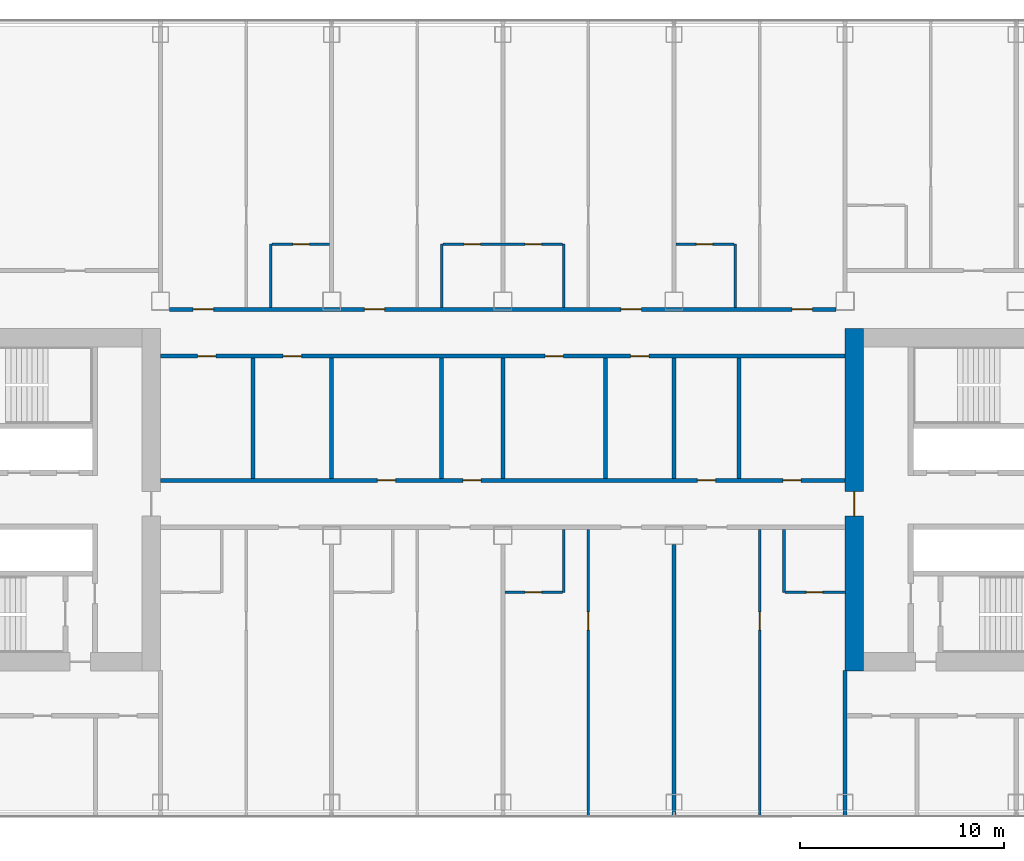
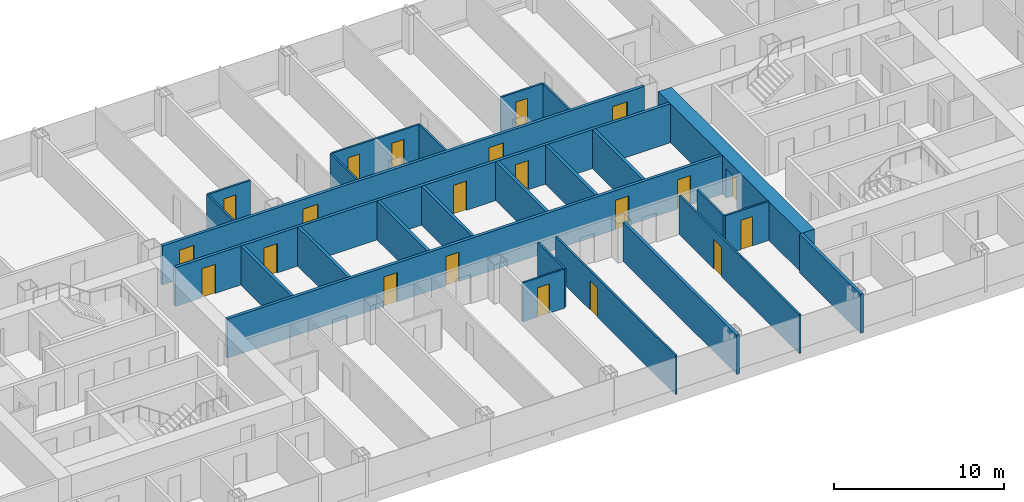
# One storey, part 17 of 29: 26 walls, 21 doors, 21 openings.
"""IFC4 building model written with IfcOpenShell, lengths in metres."""

from ifc_helpers import new_model, si_unit, direction, frame, frame_2d, origin, place, context, subcontext, project, spatial, rectangle, extrude, material, layer, layer_set, type_object, element, fill, save


model = new_model("IFC4")

# Units and contexts
model_context = context("Model", 3, precision=1e-05, world=origin(), true_north=direction((0.0, 1.0)))
body_context = subcontext(model_context, "Body", "Model", "MODEL_VIEW")
ifc_project = project(units=[si_unit("LENGTHUNIT", "METRE"), si_unit("AREAUNIT", "SQUARE_METRE"), si_unit("VOLUMEUNIT", "CUBIC_METRE"), si_unit("PLANEANGLEUNIT", "RADIAN"), si_unit("MASSUNIT", "GRAM", prefix="KILO")], contexts=[model_context])

# Site, building, storey
site_placement = place(None, origin())
site = spatial("IfcSite", under=ifc_project, at=site_placement, CompositionType="ELEMENT")
building_placement = place(site_placement, origin())
building = spatial("IfcBuilding", under=site, at=building_placement, Name="Hakoniwa Tower and Hamabe Station Hall", CompositionType="ELEMENT")
storey_placement = place(building_placement, frame((0.0, 0.0, 88.199951171875)))
storey = spatial("IfcBuildingStorey", under=building, at=storey_placement, Name="L24", CompositionType="ELEMENT", Elevation=88.199951171875)

# Wall, opening, door
ifc_material_1 = material(Name="Gypsum board partition", Category="gypsum")
ifc_layer_1 = layer(ifc_material_1, 0.125)
ifc_layer_set_1 = layer_set([ifc_layer_1], Name="Bathroom Partition 125")
wall_type_1 = type_object("IfcWallType", Name="Bathroom Partition 125", PredefinedType="PARTITIONING", material=ifc_layer_set_1)
wall_1_placement = place(storey_placement, frame((0.10009765625, -4.550048828125, 0.0), z_axis=(0.0, 0.0, 1.0), x_axis=(1.0, 0.0, 0.0)))
wall_1 = element("IfcWall", 1, at=wall_1_placement, inside=storey, type_object=wall_type_1, Name="GW-L24-009", PredefinedType="PARTITIONING", context=body_context, shape_type="SweptSolid", body=[
    extrude(rectangle(XDim=2.83740234375, YDim=0.125, at=frame_2d((1.418701171875, 0.0))), origin(), (0.0, 0.0, 1.0), 2.800048828125),
])
opening_1_placement = place(wall_1_placement, frame((1.0, 0.0, 0.0)))
opening_1 = element("IfcOpeningElement", 2, at=opening_1_placement, cuts=wall_1, Name="Opening GD-G2E0-21", PredefinedType="OPENING", context=body_context, shape_type="SweptSolid", body=[
    extrude(rectangle(XDim=0.800048828125, YDim=2.10009765625, at=frame_2d((0.39990234375, 1.050048828125))), frame((0.0, 0.072509765625, 0.0), z_axis=(0.0, -1.0, 0.0), x_axis=(1.0, 0.0, 0.0)), (0.0, 0.0, 1.0), 0.14501953125),
])
ifc_material_2 = material(Name="Timber door leaf", Category="wood")
door_type_1 = type_object("IfcDoorType", Name="Bathroom Door 800", OperationType="SINGLE_SWING_LEFT", PredefinedType="DOOR", material=ifc_material_2)
door_1_placement = place(opening_1_placement, origin())
door_1 = element("IfcDoor", 3, at=door_1_placement, inside=storey, type_object=door_type_1, Name="Door GD-G2E0-21", OperationType="SINGLE_SWING_RIGHT", OverallHeight=2.10009765625, OverallWidth=0.800048828125, PredefinedType="DOOR", context=body_context, shape_type="SweptSolid", body=[
    extrude(rectangle(XDim=0.800048828125, YDim=2.10009765625, at=frame_2d((0.39990234375, 1.050048828125))), frame((0.0, 0.02490234375, 0.0), z_axis=(0.0, -1.0, 0.0), x_axis=(1.0, 0.0, 0.0)), (0.0, 0.0, 1.0), 0.050048828125),
])
fill(opening_1, door_1)

wall_2_placement = place(storey_placement, frame((13.862548828125, -4.550048828125, 0.0), z_axis=(0.0, 0.0, 1.0), x_axis=(1.0, 0.0, 0.0)))
wall_2 = element("IfcWall", 4, at=wall_2_placement, inside=storey, type_object=wall_type_1, Name="GW-L24-010", PredefinedType="PARTITIONING", context=body_context, shape_type="SweptSolid", body=[
    extrude(rectangle(XDim=2.947509765625, YDim=0.125, at=frame_2d((1.4736328125, 0.0))), origin(), (0.0, 0.0, 1.0), 2.800048828125),
])
opening_2_placement = place(wall_2_placement, frame((1.03759765625, 0.0, 0.0)))
opening_2 = element("IfcOpeningElement", 5, at=opening_2_placement, cuts=wall_2, Name="Opening GD-G2E0-22", PredefinedType="OPENING", context=body_context, shape_type="SweptSolid", body=[
    extrude(rectangle(XDim=0.800048828125, YDim=2.10009765625, at=frame_2d((0.39990234375, 1.050048828125))), frame((0.0, 0.072509765625, 0.0), z_axis=(0.0, -1.0, 0.0), x_axis=(1.0, 0.0, 0.0)), (0.0, 0.0, 1.0), 0.14501953125),
])
door_2_placement = place(opening_2_placement, origin())
door_2 = element("IfcDoor", 6, at=door_2_placement, inside=storey, type_object=door_type_1, Name="Door GD-G2E0-22", OperationType="SINGLE_SWING_RIGHT", OverallHeight=2.10009765625, OverallWidth=0.800048828125, PredefinedType="DOOR", context=body_context, shape_type="SweptSolid", body=[
    extrude(rectangle(XDim=0.800048828125, YDim=2.10009765625, at=frame_2d((0.39990234375, 1.050048828125))), frame((0.0, 0.02490234375, 0.0), z_axis=(0.0, -1.0, 0.0), x_axis=(1.0, 0.0, 0.0)), (0.0, 0.0, 1.0), 0.050048828125),
])
fill(opening_2, door_2)

wall_3_placement = place(storey_placement, frame((-11.33740234375, 12.550048828125, 0.0), z_axis=(0.0, 0.0, 1.0), x_axis=(1.0, 0.0, 0.0)))
wall_3 = element("IfcWall", 7, at=wall_3_placement, inside=storey, type_object=wall_type_1, Name="GW-L24-023", PredefinedType="PARTITIONING", context=body_context, shape_type="SweptSolid", body=[
    extrude(rectangle(XDim=2.83740234375, YDim=0.125, at=frame_2d((1.418701171875, 0.0))), origin(), (0.0, 0.0, 1.0), 2.800048828125),
])
opening_3_placement = place(wall_3_placement, frame((1.03759765625, 0.0, 0.0)))
opening_3 = element("IfcOpeningElement", 8, at=opening_3_placement, cuts=wall_3, Name="Opening GD-G2E0-51", PredefinedType="OPENING", context=body_context, shape_type="SweptSolid", body=[
    extrude(rectangle(XDim=0.800048828125, YDim=2.10009765625, at=frame_2d((0.39990234375, 1.050048828125))), frame((0.0, 0.072509765625, 0.0), z_axis=(0.0, -1.0, 0.0), x_axis=(1.0, 0.0, 0.0)), (0.0, 0.0, 1.0), 0.14501953125),
])
door_3_placement = place(opening_3_placement, origin())
door_3 = element("IfcDoor", 9, at=door_3_placement, inside=storey, type_object=door_type_1, Name="Door GD-G2E0-51", OperationType="SINGLE_SWING_RIGHT", OverallHeight=2.10009765625, OverallWidth=0.800048828125, PredefinedType="DOOR", context=body_context, shape_type="SweptSolid", body=[
    extrude(rectangle(XDim=0.800048828125, YDim=2.10009765625, at=frame_2d((0.39990234375, 1.050048828125))), frame((0.0, 0.02490234375, 0.0), z_axis=(0.0, -1.0, 0.0), x_axis=(1.0, 0.0, 0.0)), (0.0, 0.0, 1.0), 0.050048828125),
])
fill(opening_3, door_3)

# Wall, openings, doors
wall_4_placement = place(storey_placement, frame((-2.9375, 12.550048828125, 0.0), z_axis=(0.0, 0.0, 1.0), x_axis=(1.0, 0.0, 0.0)))
wall_4 = element("IfcWall", 10, at=wall_4_placement, inside=storey, type_object=wall_type_1, Name="GW-L24-024", PredefinedType="PARTITIONING", context=body_context, shape_type="SweptSolid", body=[
    extrude(rectangle(XDim=5.875, YDim=0.125, at=frame_2d((2.9375, 0.0))), origin(), (0.0, 0.0, 1.0), 2.800048828125),
])
opening_4_placement = place(wall_4_placement, frame((1.03759765625, 0.0, 0.0)))
opening_4 = element("IfcOpeningElement", 11, at=opening_4_placement, cuts=wall_4, Name="Opening GD-G2E0-52", PredefinedType="OPENING", context=body_context, shape_type="SweptSolid", body=[
    extrude(rectangle(XDim=0.800048828125, YDim=2.10009765625, at=frame_2d((0.39990234375, 1.050048828125))), frame((0.0, 0.072509765625, 0.0), z_axis=(0.0, -1.0, 0.0), x_axis=(1.0, 0.0, 0.0)), (0.0, 0.0, 1.0), 0.14501953125),
])
opening_5_placement = place(wall_4_placement, frame((4.03759765625, 0.0, 0.0)))
opening_5 = element("IfcOpeningElement", 12, at=opening_5_placement, cuts=wall_4, Name="Opening GD-G2E0-53", PredefinedType="OPENING", context=body_context, shape_type="SweptSolid", body=[
    extrude(rectangle(XDim=0.800048828125, YDim=2.10009765625, at=frame_2d((0.39990234375, 1.050048828125))), frame((0.0, 0.072509765625, 0.0), z_axis=(0.0, -1.0, 0.0), x_axis=(1.0, 0.0, 0.0)), (0.0, 0.0, 1.0), 0.14501953125),
])
door_4_placement = place(opening_4_placement, origin())
door_4 = element("IfcDoor", 13, at=door_4_placement, inside=storey, type_object=door_type_1, Name="Door GD-G2E0-52", OperationType="SINGLE_SWING_LEFT", OverallHeight=2.10009765625, OverallWidth=0.800048828125, PredefinedType="DOOR", context=body_context, shape_type="SweptSolid", body=[
    extrude(rectangle(XDim=0.800048828125, YDim=2.10009765625, at=frame_2d((0.39990234375, 1.050048828125))), frame((0.0, 0.02490234375, 0.0), z_axis=(0.0, -1.0, 0.0), x_axis=(1.0, 0.0, 0.0)), (0.0, 0.0, 1.0), 0.050048828125),
])
fill(opening_4, door_4)
door_5_placement = place(opening_5_placement, origin())
door_5 = element("IfcDoor", 14, at=door_5_placement, inside=storey, type_object=door_type_1, Name="Door GD-G2E0-53", OperationType="SINGLE_SWING_RIGHT", OverallHeight=2.10009765625, OverallWidth=0.800048828125, PredefinedType="DOOR", context=body_context, shape_type="SweptSolid", body=[
    extrude(rectangle(XDim=0.800048828125, YDim=2.10009765625, at=frame_2d((0.39990234375, 1.050048828125))), frame((0.0, 0.02490234375, 0.0), z_axis=(0.0, -1.0, 0.0), x_axis=(1.0, 0.0, 0.0)), (0.0, 0.0, 1.0), 0.050048828125),
])
fill(opening_5, door_5)

# Wall, opening, door
wall_5_placement = place(storey_placement, frame((8.5, 12.550048828125, 0.0), z_axis=(0.0, 0.0, 1.0), x_axis=(1.0, 0.0, 0.0)))
wall_5 = element("IfcWall", 15, at=wall_5_placement, inside=storey, type_object=wall_type_1, Name="GW-L24-025", PredefinedType="PARTITIONING", context=body_context, shape_type="SweptSolid", body=[
    extrude(rectangle(XDim=2.83740234375, YDim=0.125, at=frame_2d((1.418701171875, 0.0))), origin(), (0.0, 0.0, 1.0), 2.800048828125),
])
opening_6_placement = place(wall_5_placement, frame((1.0, 0.0, 0.0)))
opening_6 = element("IfcOpeningElement", 16, at=opening_6_placement, cuts=wall_5, Name="Opening GD-G2E0-54", PredefinedType="OPENING", context=body_context, shape_type="SweptSolid", body=[
    extrude(rectangle(XDim=0.800048828125, YDim=2.10009765625, at=frame_2d((0.39990234375, 1.050048828125))), frame((0.0, 0.072509765625, 0.0), z_axis=(0.0, -1.0, 0.0), x_axis=(1.0, 0.0, 0.0)), (0.0, 0.0, 1.0), 0.14501953125),
])
door_6_placement = place(opening_6_placement, origin())
door_6 = element("IfcDoor", 17, at=door_6_placement, inside=storey, type_object=door_type_1, Name="Door GD-G2E0-54", OperationType="SINGLE_SWING_LEFT", OverallHeight=2.10009765625, OverallWidth=0.800048828125, PredefinedType="DOOR", context=body_context, shape_type="SweptSolid", body=[
    extrude(rectangle(XDim=0.800048828125, YDim=2.10009765625, at=frame_2d((0.39990234375, 1.050048828125))), frame((0.0, 0.02490234375, 0.0), z_axis=(0.0, -1.0, 0.0), x_axis=(1.0, 0.0, 0.0)), (0.0, 0.0, 1.0), 0.050048828125),
])
fill(opening_6, door_6)

# Walls
for number, where, z_axis, x_axis, name in (
    (18, (-11.39990234375, 9.449951171875, 0.0), (0.0, 0.0, 1.0), (0.0, 1.0, 0.0), "GW-L24-047"),
    (19, (-3.0, 9.449951171875, 0.0), (0.0, 0.0, 1.0), (0.0, 1.0, 0.0), "GW-L24-055"),
    (20, (3.0, -4.550048828125, 0.0), (0.0, 0.0, 1.0), (0.0, 1.0, 0.0), "GW-L24-059"),
    (21, (3.0, 9.449951171875, 0.0), (0.0, 0.0, 1.0), (0.0, 1.0, 0.0), "GW-L24-060"),
    (22, (11.39990234375, 9.449951171875, 0.0), (0.0, 0.0, 1.0), (0.0, 1.0, 0.0), "GW-L24-067"),
    (23, (13.800048828125, -4.550048828125, 0.0), (0.0, 0.0, 1.0), (0.0, 1.0, 0.0), "GW-L24-071"),
):
    element("IfcWall", number, at=place(storey_placement, frame(where, z_axis=z_axis, x_axis=x_axis)), inside=storey, type_object=wall_type_1, Name=name, PredefinedType="PARTITIONING", context=body_context, shape_type="SweptSolid", body=[
        extrude(rectangle(XDim=3.10009765625, YDim=0.125, at=frame_2d((1.550048828125, 0.0))), origin(), (0.0, 0.0, 1.0), 2.800048828125),
    ])

# Wall, opening, door
ifc_material_3 = material(Name="Concrete C72", Category="concrete")
ifc_layer_2 = layer(ifc_material_3, 0.89990234375)
ifc_layer_set_2 = layer_set([ifc_layer_2], Name="CORE WALL 900 C72")
wall_type_2 = type_object("IfcWallType", Name="CORE WALL 900 C72", PredefinedType="SHEAR", material=ifc_layer_set_2)
wall_6_placement = place(storey_placement, frame((17.25, -8.39990234375, 0.0), z_axis=(0.0, 0.0, 1.0), x_axis=(0.0, 1.0, 0.0)))
wall_6 = element("IfcWall", 24, at=wall_6_placement, inside=storey, type_object=wall_type_2, Name="Core wall INNER east", PredefinedType="SHEAR", context=body_context, shape_type="SweptSolid", body=[
    extrude(rectangle(XDim=16.7998046875, YDim=0.89990234375, at=frame_2d((8.39990234375, 0.0))), origin(), (0.0, 0.0, 1.0), 2.800048828125),
])
opening_7_placement = place(wall_6_placement, frame((7.60009765625, 0.0, 0.0)))
opening_7 = element("IfcOpeningElement", 25, at=opening_7_placement, cuts=wall_6, Name="Opening CD-E-IN1-12", PredefinedType="OPENING", context=body_context, shape_type="SweptSolid", body=[
    extrude(rectangle(XDim=1.199951171875, YDim=2.10009765625, at=frame_2d((0.60009765625, 1.050048828125))), frame((0.0, 0.4599609375, 0.0), z_axis=(0.0, -1.0, 0.0), x_axis=(1.0, 0.0, 0.0)), (0.0, 0.0, 1.0), 0.919921875),
])
ifc_material_4 = material(Name="Steel fire door", Category="steel")
door_type_2 = type_object("IfcDoorType", Name="CORE DOOR 1200 FD60", OperationType="DOUBLE_DOOR_SINGLE_SWING", PredefinedType="DOOR", material=ifc_material_4)
door_7_placement = place(opening_7_placement, origin())
door_7 = element("IfcDoor", 26, at=door_7_placement, inside=storey, type_object=door_type_2, Name="Lift lobby door", OperationType="DOUBLE_DOOR_SINGLE_SWING", OverallHeight=2.10009765625, OverallWidth=1.199951171875, PredefinedType="DOOR", context=body_context, shape_type="SweptSolid", body=[
    extrude(rectangle(XDim=1.199951171875, YDim=2.10009765625, at=frame_2d((0.60009765625, 1.050048828125))), frame((0.0, 0.02490234375, 0.0), z_axis=(0.0, -1.0, 0.0), x_axis=(1.0, 0.0, 0.0)), (0.0, 0.0, 1.0), 0.050048828125),
])
fill(opening_7, door_7)

# Wall, openings, doors
ifc_material_5 = material(Name="Fire-rated gypsum board partition", Category="gypsum")
ifc_layer_3 = layer(ifc_material_5, 0.199951171875)
ifc_layer_set_3 = layer_set([ifc_layer_3], Name="Corridor Wall 200")
wall_type_3 = type_object("IfcWallType", Name="Corridor Wall 200", PredefinedType="PARTITIONING", material=ifc_layer_set_3)
wall_7_placement = place(storey_placement, frame((-16.800048828125, 0.949951171875, 0.0), z_axis=(0.0, 0.0, 1.0), x_axis=(1.0, 0.0, 0.0)))
wall_7 = element("IfcWall", 27, at=wall_7_placement, inside=storey, type_object=wall_type_3, Name="GW-L24-014", PredefinedType="PARTITIONING", context=body_context, shape_type="SweptSolid", body=[
    extrude(rectangle(XDim=33.60009765625, YDim=0.199951171875, at=frame_2d((16.800048828125, 0.0))), origin(), (0.0, 0.0, 1.0), 2.800048828125),
])
opening_8_placement = place(wall_7_placement, frame((10.639892578125, 0.0, 0.0)))
opening_8 = element("IfcOpeningElement", 28, at=opening_8_placement, cuts=wall_7, Name="Opening GD-G2E0-27", PredefinedType="OPENING", context=body_context, shape_type="SweptSolid", body=[
    extrude(rectangle(XDim=0.89990234375, YDim=2.10009765625, at=frame_2d((0.449951171875, 1.050048828125))), frame((0.0, 0.10986328125, 0.0), z_axis=(0.0, -1.0, 0.0), x_axis=(1.0, 0.0, 0.0)), (0.0, 0.0, 1.0), 0.219970703125),
])
opening_9_placement = place(wall_7_placement, frame((14.840087890625, 0.0, 0.0)))
opening_9 = element("IfcOpeningElement", 29, at=opening_9_placement, cuts=wall_7, Name="Opening GD-G2E0-28", PredefinedType="OPENING", context=body_context, shape_type="SweptSolid", body=[
    extrude(rectangle(XDim=0.89990234375, YDim=2.10009765625, at=frame_2d((0.449951171875, 1.050048828125))), frame((0.0, 0.10986328125, 0.0), z_axis=(0.0, -1.0, 0.0), x_axis=(1.0, 0.0, 0.0)), (0.0, 0.0, 1.0), 0.219970703125),
])
opening_10_placement = place(wall_7_placement, frame((26.344970703125, 0.0, 0.0)))
opening_10 = element("IfcOpeningElement", 30, at=opening_10_placement, cuts=wall_7, Name="Opening GD-G2E0-29", PredefinedType="OPENING", context=body_context, shape_type="SweptSolid", body=[
    extrude(rectangle(XDim=0.89990234375, YDim=2.10009765625, at=frame_2d((0.449951171875, 1.050048828125))), frame((0.0, 0.10986328125, 0.0), z_axis=(0.0, -1.0, 0.0), x_axis=(1.0, 0.0, 0.0)), (0.0, 0.0, 1.0), 0.219970703125),
])
opening_11_placement = place(wall_7_placement, frame((30.544921875, 0.0, 0.0)))
opening_11 = element("IfcOpeningElement", 31, at=opening_11_placement, cuts=wall_7, Name="Opening GD-G2E0-30", PredefinedType="OPENING", context=body_context, shape_type="SweptSolid", body=[
    extrude(rectangle(XDim=0.89990234375, YDim=2.10009765625, at=frame_2d((0.449951171875, 1.050048828125))), frame((0.0, 0.10986328125, 0.0), z_axis=(0.0, -1.0, 0.0), x_axis=(1.0, 0.0, 0.0)), (0.0, 0.0, 1.0), 0.219970703125),
])
ifc_material_6 = material(Name="Timber door leaf", Category="wood")
door_type_3 = type_object("IfcDoorType", Name="Service Door 900", OperationType="SINGLE_SWING_LEFT", PredefinedType="DOOR", material=ifc_material_6)
door_8_placement = place(opening_8_placement, origin())
door_8 = element("IfcDoor", 32, at=door_8_placement, inside=storey, type_object=door_type_3, Name="Door GD-G2E0-27", OperationType="SINGLE_SWING_RIGHT", OverallHeight=2.10009765625, OverallWidth=0.89990234375, PredefinedType="DOOR", context=body_context, shape_type="SweptSolid", body=[
    extrude(rectangle(XDim=0.89990234375, YDim=2.10009765625, at=frame_2d((0.449951171875, 1.050048828125))), frame((0.0, 0.02490234375, 0.0), z_axis=(0.0, -1.0, 0.0), x_axis=(1.0, 0.0, 0.0)), (0.0, 0.0, 1.0), 0.050048828125),
])
fill(opening_8, door_8)
door_9_placement = place(opening_9_placement, origin())
door_9 = element("IfcDoor", 33, at=door_9_placement, inside=storey, type_object=door_type_3, Name="Door GD-G2E0-28", OperationType="SINGLE_SWING_LEFT", OverallHeight=2.10009765625, OverallWidth=0.89990234375, PredefinedType="DOOR", context=body_context, shape_type="SweptSolid", body=[
    extrude(rectangle(XDim=0.89990234375, YDim=2.10009765625, at=frame_2d((0.449951171875, 1.050048828125))), frame((0.0, 0.02490234375, 0.0), z_axis=(0.0, -1.0, 0.0), x_axis=(1.0, 0.0, 0.0)), (0.0, 0.0, 1.0), 0.050048828125),
])
fill(opening_9, door_9)
door_10_placement = place(opening_10_placement, origin())
door_10 = element("IfcDoor", 34, at=door_10_placement, inside=storey, type_object=door_type_3, Name="Door GD-G2E0-29", OperationType="SINGLE_SWING_RIGHT", OverallHeight=2.10009765625, OverallWidth=0.89990234375, PredefinedType="DOOR", context=body_context, shape_type="SweptSolid", body=[
    extrude(rectangle(XDim=0.89990234375, YDim=2.10009765625, at=frame_2d((0.449951171875, 1.050048828125))), frame((0.0, 0.02490234375, 0.0), z_axis=(0.0, -1.0, 0.0), x_axis=(1.0, 0.0, 0.0)), (0.0, 0.0, 1.0), 0.050048828125),
])
fill(opening_10, door_10)
door_11_placement = place(opening_11_placement, origin())
door_11 = element("IfcDoor", 35, at=door_11_placement, inside=storey, type_object=door_type_3, Name="Door GD-G2E0-30", OperationType="SINGLE_SWING_RIGHT", OverallHeight=2.10009765625, OverallWidth=0.89990234375, PredefinedType="DOOR", context=body_context, shape_type="SweptSolid", body=[
    extrude(rectangle(XDim=0.89990234375, YDim=2.10009765625, at=frame_2d((0.449951171875, 1.050048828125))), frame((0.0, 0.02490234375, 0.0), z_axis=(0.0, -1.0, 0.0), x_axis=(1.0, 0.0, 0.0)), (0.0, 0.0, 1.0), 0.050048828125),
])
fill(opening_11, door_11)

wall_8_placement = place(storey_placement, frame((-16.800048828125, 7.050048828125, 0.0), z_axis=(0.0, 0.0, 1.0), x_axis=(1.0, 0.0, 0.0)))
wall_8 = element("IfcWall", 36, at=wall_8_placement, inside=storey, type_object=wall_type_3, Name="GW-L24-017", PredefinedType="PARTITIONING", context=body_context, shape_type="SweptSolid", body=[
    extrude(rectangle(XDim=33.60009765625, YDim=0.199951171875, at=frame_2d((16.800048828125, 0.0))), origin(), (0.0, 0.0, 1.0), 2.800048828125),
])
opening_12_placement = place(wall_8_placement, frame((1.820068359375, 0.0, 0.0)))
opening_12 = element("IfcOpeningElement", 37, at=opening_12_placement, cuts=wall_8, Name="Opening GD-G2E0-33", PredefinedType="OPENING", context=body_context, shape_type="SweptSolid", body=[
    extrude(rectangle(XDim=0.89990234375, YDim=2.10009765625, at=frame_2d((0.449951171875, 1.050048828125))), frame((0.0, 0.10986328125, 0.0), z_axis=(0.0, -1.0, 0.0), x_axis=(1.0, 0.0, 0.0)), (0.0, 0.0, 1.0), 0.219970703125),
])
opening_13_placement = place(wall_8_placement, frame((6.02001953125, 0.0, 0.0)))
opening_13 = element("IfcOpeningElement", 38, at=opening_13_placement, cuts=wall_8, Name="Opening GD-G2E0-34", PredefinedType="OPENING", context=body_context, shape_type="SweptSolid", body=[
    extrude(rectangle(XDim=0.89990234375, YDim=2.10009765625, at=frame_2d((0.449951171875, 1.050048828125))), frame((0.0, 0.10986328125, 0.0), z_axis=(0.0, -1.0, 0.0), x_axis=(1.0, 0.0, 0.0)), (0.0, 0.0, 1.0), 0.219970703125),
])
opening_14_placement = place(wall_8_placement, frame((18.8701171875, 0.0, 0.0)))
opening_14 = element("IfcOpeningElement", 39, at=opening_14_placement, cuts=wall_8, Name="Opening GD-G2E0-35", PredefinedType="OPENING", context=body_context, shape_type="SweptSolid", body=[
    extrude(rectangle(XDim=0.89990234375, YDim=2.10009765625, at=frame_2d((0.449951171875, 1.050048828125))), frame((0.0, 0.10986328125, 0.0), z_axis=(0.0, -1.0, 0.0), x_axis=(1.0, 0.0, 0.0)), (0.0, 0.0, 1.0), 0.219970703125),
])
opening_15_placement = place(wall_8_placement, frame((23.070068359375, 0.0, 0.0)))
opening_15 = element("IfcOpeningElement", 40, at=opening_15_placement, cuts=wall_8, Name="Opening GD-G2E0-36", PredefinedType="OPENING", context=body_context, shape_type="SweptSolid", body=[
    extrude(rectangle(XDim=0.89990234375, YDim=2.10009765625, at=frame_2d((0.449951171875, 1.050048828125))), frame((0.0, 0.10986328125, 0.0), z_axis=(0.0, -1.0, 0.0), x_axis=(1.0, 0.0, 0.0)), (0.0, 0.0, 1.0), 0.219970703125),
])
door_12_placement = place(opening_12_placement, origin())
door_12 = element("IfcDoor", 41, at=door_12_placement, inside=storey, type_object=door_type_3, Name="Door GD-G2E0-33", OperationType="SINGLE_SWING_RIGHT", OverallHeight=2.10009765625, OverallWidth=0.89990234375, PredefinedType="DOOR", context=body_context, shape_type="SweptSolid", body=[
    extrude(rectangle(XDim=0.89990234375, YDim=2.10009765625, at=frame_2d((0.449951171875, 1.050048828125))), frame((0.0, 0.02490234375, 0.0), z_axis=(0.0, -1.0, 0.0), x_axis=(1.0, 0.0, 0.0)), (0.0, 0.0, 1.0), 0.050048828125),
])
fill(opening_12, door_12)
door_13_placement = place(opening_13_placement, origin())
door_13 = element("IfcDoor", 42, at=door_13_placement, inside=storey, type_object=door_type_3, Name="Door GD-G2E0-34", OperationType="SINGLE_SWING_LEFT", OverallHeight=2.10009765625, OverallWidth=0.89990234375, PredefinedType="DOOR", context=body_context, shape_type="SweptSolid", body=[
    extrude(rectangle(XDim=0.89990234375, YDim=2.10009765625, at=frame_2d((0.449951171875, 1.050048828125))), frame((0.0, 0.02490234375, 0.0), z_axis=(0.0, -1.0, 0.0), x_axis=(1.0, 0.0, 0.0)), (0.0, 0.0, 1.0), 0.050048828125),
])
fill(opening_13, door_13)
door_14_placement = place(opening_14_placement, origin())
door_14 = element("IfcDoor", 43, at=door_14_placement, inside=storey, type_object=door_type_3, Name="Door GD-G2E0-35", OperationType="SINGLE_SWING_RIGHT", OverallHeight=2.10009765625, OverallWidth=0.89990234375, PredefinedType="DOOR", context=body_context, shape_type="SweptSolid", body=[
    extrude(rectangle(XDim=0.89990234375, YDim=2.10009765625, at=frame_2d((0.449951171875, 1.050048828125))), frame((0.0, 0.02490234375, 0.0), z_axis=(0.0, -1.0, 0.0), x_axis=(1.0, 0.0, 0.0)), (0.0, 0.0, 1.0), 0.050048828125),
])
fill(opening_14, door_14)
door_15_placement = place(opening_15_placement, origin())
door_15 = element("IfcDoor", 44, at=door_15_placement, inside=storey, type_object=door_type_3, Name="Door GD-G2E0-36", OperationType="SINGLE_SWING_LEFT", OverallHeight=2.10009765625, OverallWidth=0.89990234375, PredefinedType="DOOR", context=body_context, shape_type="SweptSolid", body=[
    extrude(rectangle(XDim=0.89990234375, YDim=2.10009765625, at=frame_2d((0.449951171875, 1.050048828125))), frame((0.0, 0.02490234375, 0.0), z_axis=(0.0, -1.0, 0.0), x_axis=(1.0, 0.0, 0.0)), (0.0, 0.0, 1.0), 0.050048828125),
])
fill(opening_15, door_15)

wall_9_placement = place(storey_placement, frame((-16.360107421875, 9.35009765625, 0.0), z_axis=(0.0, 0.0, 1.0), x_axis=(1.0, 0.0, 0.0)))
wall_9 = element("IfcWall", 45, at=wall_9_placement, inside=storey, type_object=wall_type_3, Name="GW-L24-020", PredefinedType="PARTITIONING", context=body_context, shape_type="SweptSolid", body=[
    extrude(rectangle(XDim=32.72021484375, YDim=0.199951171875, at=frame_2d((16.360107421875, 0.0))), origin(), (0.0, 0.0, 1.0), 2.800048828125),
])
opening_16_placement = place(wall_9_placement, frame((1.159912109375, 0.0, 0.0)))
opening_16 = element("IfcOpeningElement", 46, at=opening_16_placement, cuts=wall_9, Name="Opening GD-G2E0-39", PredefinedType="OPENING", context=body_context, shape_type="SweptSolid", body=[
    extrude(rectangle(XDim=1.0, YDim=2.10009765625, at=frame_2d((0.5, 1.050048828125))), frame((0.0, 0.10986328125, 0.0), z_axis=(0.0, -1.0, 0.0), x_axis=(1.0, 0.0, 0.0)), (0.0, 0.0, 1.0), 0.219970703125),
])
opening_17_placement = place(wall_9_placement, frame((9.56005859375, 0.0, 0.0)))
opening_17 = element("IfcOpeningElement", 47, at=opening_17_placement, cuts=wall_9, Name="Opening GD-G2E0-40", PredefinedType="OPENING", context=body_context, shape_type="SweptSolid", body=[
    extrude(rectangle(XDim=1.0, YDim=2.10009765625, at=frame_2d((0.5, 1.050048828125))), frame((0.0, 0.10986328125, 0.0), z_axis=(0.0, -1.0, 0.0), x_axis=(1.0, 0.0, 0.0)), (0.0, 0.0, 1.0), 0.219970703125),
])
opening_18_placement = place(wall_9_placement, frame((22.159912109375, 0.0, 0.0)))
opening_18 = element("IfcOpeningElement", 48, at=opening_18_placement, cuts=wall_9, Name="Opening GD-G2E0-41", PredefinedType="OPENING", context=body_context, shape_type="SweptSolid", body=[
    extrude(rectangle(XDim=1.0, YDim=2.10009765625, at=frame_2d((0.5, 1.050048828125))), frame((0.0, 0.10986328125, 0.0), z_axis=(0.0, -1.0, 0.0), x_axis=(1.0, 0.0, 0.0)), (0.0, 0.0, 1.0), 0.219970703125),
])
opening_19_placement = place(wall_9_placement, frame((30.56005859375, 0.0, 0.0)))
opening_19 = element("IfcOpeningElement", 49, at=opening_19_placement, cuts=wall_9, Name="Opening GD-G2E0-42", PredefinedType="OPENING", context=body_context, shape_type="SweptSolid", body=[
    extrude(rectangle(XDim=1.0, YDim=2.10009765625, at=frame_2d((0.5, 1.050048828125))), frame((0.0, 0.10986328125, 0.0), z_axis=(0.0, -1.0, 0.0), x_axis=(1.0, 0.0, 0.0)), (0.0, 0.0, 1.0), 0.219970703125),
])
ifc_material_7 = material(Name="Timber door leaf", Category="wood")
door_type_4 = type_object("IfcDoorType", Name="Guest Entrance Door 1000", OperationType="SINGLE_SWING_LEFT", PredefinedType="DOOR", material=ifc_material_7)
door_16_placement = place(opening_16_placement, origin())
door_16 = element("IfcDoor", 50, at=door_16_placement, inside=storey, type_object=door_type_4, Name="Door GD-G2E0-39", OperationType="SINGLE_SWING_LEFT", OverallHeight=2.10009765625, OverallWidth=1.0, PredefinedType="DOOR", context=body_context, shape_type="SweptSolid", body=[
    extrude(rectangle(XDim=1.0, YDim=2.10009765625, at=frame_2d((0.5, 1.050048828125))), frame((0.0, 0.02490234375, 0.0), z_axis=(0.0, -1.0, 0.0), x_axis=(1.0, 0.0, 0.0)), (0.0, 0.0, 1.0), 0.050048828125),
])
fill(opening_16, door_16)
door_17_placement = place(opening_17_placement, origin())
door_17 = element("IfcDoor", 51, at=door_17_placement, inside=storey, type_object=door_type_4, Name="Door GD-G2E0-40", OperationType="SINGLE_SWING_LEFT", OverallHeight=2.10009765625, OverallWidth=1.0, PredefinedType="DOOR", context=body_context, shape_type="SweptSolid", body=[
    extrude(rectangle(XDim=1.0, YDim=2.10009765625, at=frame_2d((0.5, 1.050048828125))), frame((0.0, 0.02490234375, 0.0), z_axis=(0.0, -1.0, 0.0), x_axis=(1.0, 0.0, 0.0)), (0.0, 0.0, 1.0), 0.050048828125),
])
fill(opening_17, door_17)
door_18_placement = place(opening_18_placement, origin())
door_18 = element("IfcDoor", 52, at=door_18_placement, inside=storey, type_object=door_type_4, Name="Door GD-G2E0-41", OperationType="SINGLE_SWING_RIGHT", OverallHeight=2.10009765625, OverallWidth=1.0, PredefinedType="DOOR", context=body_context, shape_type="SweptSolid", body=[
    extrude(rectangle(XDim=1.0, YDim=2.10009765625, at=frame_2d((0.5, 1.050048828125))), frame((0.0, 0.02490234375, 0.0), z_axis=(0.0, -1.0, 0.0), x_axis=(1.0, 0.0, 0.0)), (0.0, 0.0, 1.0), 0.050048828125),
])
fill(opening_18, door_18)
door_19_placement = place(opening_19_placement, origin())
door_19 = element("IfcDoor", 53, at=door_19_placement, inside=storey, type_object=door_type_4, Name="Door GD-G2E0-42", OperationType="SINGLE_SWING_RIGHT", OverallHeight=2.10009765625, OverallWidth=1.0, PredefinedType="DOOR", context=body_context, shape_type="SweptSolid", body=[
    extrude(rectangle(XDim=1.0, YDim=2.10009765625, at=frame_2d((0.5, 1.050048828125))), frame((0.0, 0.02490234375, 0.0), z_axis=(0.0, -1.0, 0.0), x_axis=(1.0, 0.0, 0.0)), (0.0, 0.0, 1.0), 0.050048828125),
])
fill(opening_19, door_19)

# Walls
ifc_material_8 = material(Name="Fire-rated gypsum board partition", Category="gypsum")
ifc_layer_4 = layer(ifc_material_8, 0.199951171875)
ifc_layer_set_4 = layer_set([ifc_layer_4], Name="Party Wall 200")
wall_type_4 = type_object("IfcWallType", Name="Party Wall 200", PredefinedType="PARTITIONING", material=ifc_layer_set_4)
for number, where, z_axis, x_axis, name in (
    (54, (-12.260009765625, 1.050048828125, 0.0), (0.0, 0.0, 1.0), (0.0, 1.0, 0.0), "GW-L24-046"),
    (55, (-8.39990234375, 1.050048828125, 0.0), (0.0, 0.0, 1.0), (0.0, 1.0, 0.0), "GW-L24-049"),
    (56, (-3.02001953125, 1.050048828125, 0.0), (0.0, 0.0, 1.0), (0.0, 1.0, 0.0), "GW-L24-054"),
    (57, (0.0, 1.050048828125, 0.0), (0.0, 0.0, 1.0), (0.0, 1.0, 0.0), "GW-L24-057"),
    (58, (5.0400390625, 1.050048828125, 0.0), (0.0, 0.0, 1.0), (0.0, 1.0, 0.0), "GW-L24-063"),
):
    element("IfcWall", number, at=place(storey_placement, frame(where, z_axis=z_axis, x_axis=x_axis)), inside=storey, type_object=wall_type_4, Name=name, PredefinedType="PARTITIONING", context=body_context, shape_type="SweptSolid", body=[
        extrude(rectangle(XDim=5.89990234375, YDim=0.199951171875, at=frame_2d((2.949951171875, 0.0))), origin(), (0.0, 0.0, 1.0), 2.800048828125),
    ])
wall_10_placement = place(storey_placement, frame((8.39990234375, -15.550048828125, 0.0), z_axis=(0.0, 0.0, 1.0), x_axis=(0.0, 1.0, 0.0)))
element("IfcWall", 59, at=wall_10_placement, inside=storey, type_object=wall_type_4, Name="GW-L24-064", PredefinedType="PARTITIONING", context=body_context, shape_type="SweptSolid", body=[
    extrude(rectangle(XDim=13.360107421875, YDim=0.199951171875, at=frame_2d((6.68017578125, 0.0))), origin(), (0.0, 0.0, 1.0), 2.800048828125),
])
for number, where, z_axis, x_axis, name in (
    (60, (8.39990234375, 1.050048828125, 0.0), (0.0, 0.0, 1.0), (0.0, 1.0, 0.0), "GW-L24-065"),
    (61, (11.590087890625, 1.050048828125, 0.0), (0.0, 0.0, 1.0), (0.0, 1.0, 0.0), "GW-L24-068"),
):
    element("IfcWall", number, at=place(storey_placement, frame(where, z_axis=z_axis, x_axis=x_axis)), inside=storey, type_object=wall_type_4, Name=name, PredefinedType="PARTITIONING", context=body_context, shape_type="SweptSolid", body=[
        extrude(rectangle(XDim=5.89990234375, YDim=0.199951171875, at=frame_2d((2.949951171875, 0.0))), origin(), (0.0, 0.0, 1.0), 2.800048828125),
    ])
wall_11_placement = place(storey_placement, frame((16.800048828125, -15.550048828125, 0.0), z_axis=(0.0, 0.0, 1.0), x_axis=(0.0, 1.0, 0.0)))
element("IfcWall", 62, at=wall_11_placement, inside=storey, type_object=wall_type_4, Name="GW-L24-072", PredefinedType="PARTITIONING", context=body_context, shape_type="SweptSolid", body=[
    extrude(rectangle(XDim=7.16015625, YDim=0.199951171875, at=frame_2d((3.580078125, 0.0))), origin(), (0.0, 0.0, 1.0), 2.800048828125),
])

# Wall, opening, door
ifc_material_9 = material(Name="Gypsum board partition", Category="gypsum")
ifc_layer_5 = layer(ifc_material_9, 0.125)
ifc_layer_set_5 = layer_set([ifc_layer_5], Name="Room Partition 125")
wall_type_5 = type_object("IfcWallType", Name="Room Partition 125", PredefinedType="PARTITIONING", material=ifc_layer_set_5)
wall_12_placement = place(storey_placement, frame((4.199951171875, -15.550048828125, 0.0), z_axis=(0.0, 0.0, 1.0), x_axis=(0.0, 1.0, 0.0)))
wall_12 = element("IfcWall", 63, at=wall_12_placement, inside=storey, type_object=wall_type_5, Name="GW-L24-061", PredefinedType="PARTITIONING", context=body_context, shape_type="SweptSolid", body=[
    extrude(rectangle(XDim=14.10009765625, YDim=0.125, at=frame_2d((7.050048828125, 0.0))), origin(), (0.0, 0.0, 1.0), 2.800048828125),
])
opening_20_placement = place(wall_12_placement, frame((9.14990234375, 0.0, 0.0)))
opening_20 = element("IfcOpeningElement", 64, at=opening_20_placement, cuts=wall_12, Name="Opening GD-G2E0-62", PredefinedType="OPENING", context=body_context, shape_type="SweptSolid", body=[
    extrude(rectangle(XDim=0.89990234375, YDim=2.10009765625, at=frame_2d((0.449951171875, 1.050048828125))), frame((0.0, 0.072509765625, 0.0), z_axis=(0.0, -1.0, 0.0), x_axis=(1.0, 0.0, 0.0)), (0.0, 0.0, 1.0), 0.14501953125),
])
ifc_material_10 = material(Name="Timber door leaf", Category="wood")
door_type_5 = type_object("IfcDoorType", Name="Suite Interior Door 900", OperationType="SINGLE_SWING_LEFT", PredefinedType="DOOR", material=ifc_material_10)
door_20_placement = place(opening_20_placement, origin())
door_20 = element("IfcDoor", 65, at=door_20_placement, inside=storey, type_object=door_type_5, Name="Door GD-G2E0-62", OperationType="SINGLE_SWING_LEFT", OverallHeight=2.10009765625, OverallWidth=0.89990234375, PredefinedType="DOOR", context=body_context, shape_type="SweptSolid", body=[
    extrude(rectangle(XDim=0.89990234375, YDim=2.10009765625, at=frame_2d((0.449951171875, 1.050048828125))), frame((0.0, 0.02490234375, 0.0), z_axis=(0.0, -1.0, 0.0), x_axis=(1.0, 0.0, 0.0)), (0.0, 0.0, 1.0), 0.050048828125),
])
fill(opening_20, door_20)

wall_13_placement = place(storey_placement, frame((12.60009765625, -15.550048828125, 0.0), z_axis=(0.0, 0.0, 1.0), x_axis=(0.0, 1.0, 0.0)))
wall_13 = element("IfcWall", 66, at=wall_13_placement, inside=storey, type_object=wall_type_5, Name="GW-L24-069", PredefinedType="PARTITIONING", context=body_context, shape_type="SweptSolid", body=[
    extrude(rectangle(XDim=14.10009765625, YDim=0.125, at=frame_2d((7.050048828125, 0.0))), origin(), (0.0, 0.0, 1.0), 2.800048828125),
])
opening_21_placement = place(wall_13_placement, frame((9.14990234375, 0.0, 0.0)))
opening_21 = element("IfcOpeningElement", 67, at=opening_21_placement, cuts=wall_13, Name="Opening GD-G2E0-64", PredefinedType="OPENING", context=body_context, shape_type="SweptSolid", body=[
    extrude(rectangle(XDim=0.89990234375, YDim=2.10009765625, at=frame_2d((0.449951171875, 1.050048828125))), frame((0.0, 0.072509765625, 0.0), z_axis=(0.0, -1.0, 0.0), x_axis=(1.0, 0.0, 0.0)), (0.0, 0.0, 1.0), 0.14501953125),
])
door_21_placement = place(opening_21_placement, origin())
door_21 = element("IfcDoor", 68, at=door_21_placement, inside=storey, type_object=door_type_5, Name="Door GD-G2E0-64", OperationType="SINGLE_SWING_RIGHT", OverallHeight=2.10009765625, OverallWidth=0.89990234375, PredefinedType="DOOR", context=body_context, shape_type="SweptSolid", body=[
    extrude(rectangle(XDim=0.89990234375, YDim=2.10009765625, at=frame_2d((0.449951171875, 1.050048828125))), frame((0.0, 0.02490234375, 0.0), z_axis=(0.0, -1.0, 0.0), x_axis=(1.0, 0.0, 0.0)), (0.0, 0.0, 1.0), 0.050048828125),
])
fill(opening_21, door_21)

save(model, "model.ifc")
